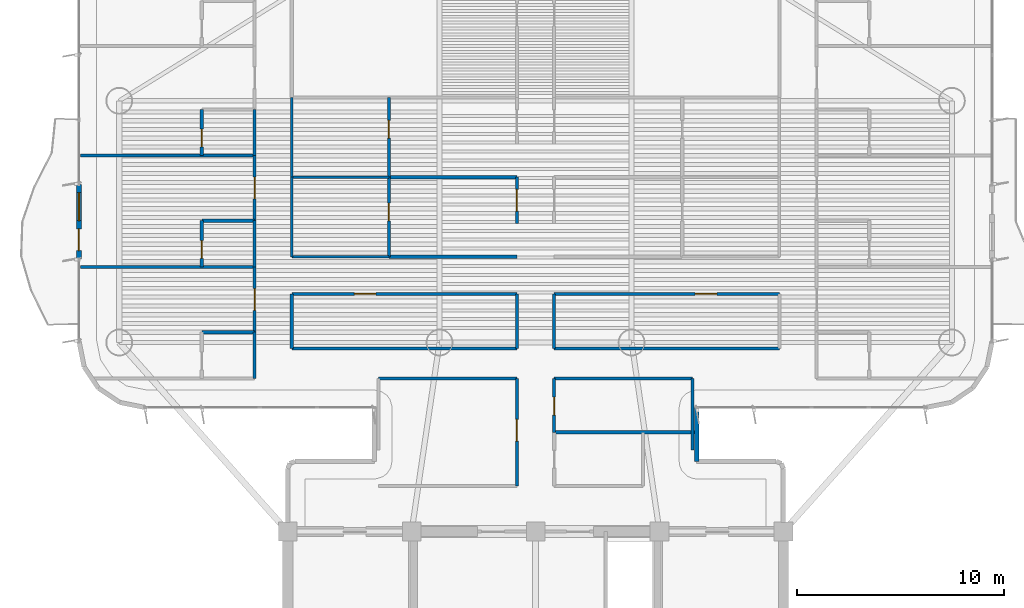
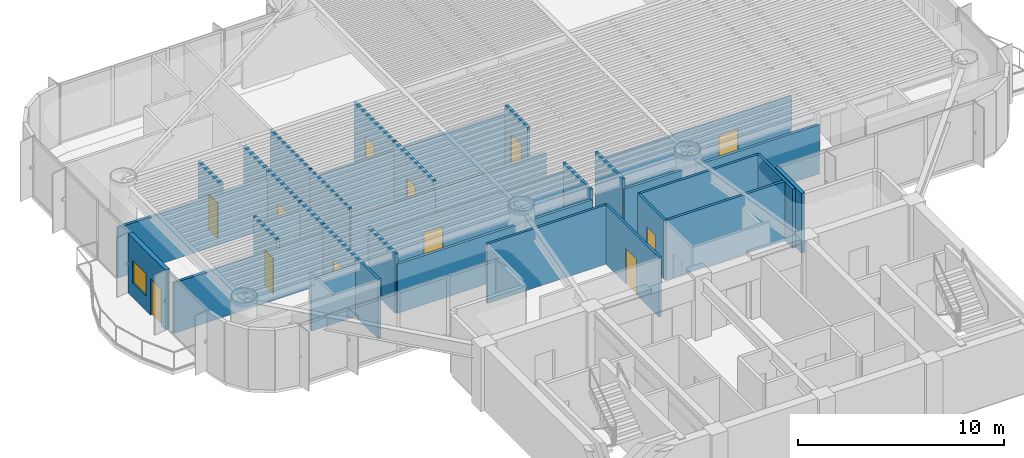
# One storey, part 10 of 17: 35 walls, 12 doors, 1 window, 13 openings.
"""IFC4 building model written with IfcOpenShell, lengths in metres."""

from ifc_helpers import new_model, si_unit, direction, frame, frame_2d, origin, origin_2d, place, context, subcontext, project, spatial, rectangle, extrude, source, transform, mapped, material, layer, layer_set, type_object, element, fill, save


model = new_model("IFC4")

# Units and contexts
model_context = context("Model", 3, precision=1e-05, world=origin(), true_north=direction((0.0, 1.0)))
body_context = subcontext(model_context, "Body", "Model", "MODEL_VIEW")
ifc_project = project(units=[si_unit("LENGTHUNIT", "METRE"), si_unit("AREAUNIT", "SQUARE_METRE"), si_unit("VOLUMEUNIT", "CUBIC_METRE"), si_unit("PLANEANGLEUNIT", "RADIAN"), si_unit("MASSUNIT", "GRAM", prefix="KILO")], contexts=[model_context])

# Site, building, storey
site_placement = place(None, origin())
site = spatial("IfcSite", under=ifc_project, at=site_placement, CompositionType="ELEMENT")
building_placement = place(site_placement, origin())
building = spatial("IfcBuilding", under=site, at=building_placement, Name="Brelvock Crest Care Tower", CompositionType="ELEMENT")
storey_placement = place(building_placement, frame((0.0, 0.0, 131.39990234375)))
storey = spatial("IfcBuildingStorey", under=building, at=storey_placement, Name="L33", CompositionType="ELEMENT", Elevation=131.39990234375)

# Wall, openings, door, window
ifc_material_1 = material(Name="Precast concrete N40 (40 MPa)", Category="concrete")
ifc_layer_1 = layer(ifc_material_1, 0.239990234375, Name="WL-EX1")
ifc_layer_set_1 = layer_set([ifc_layer_1], Name="Precast concrete N40 (40 MPa)")
wall_type_1 = type_object("IfcWallType", Name="WL-EX1", PredefinedType="SOLIDWALL", material=ifc_layer_set_1)
wall_1_placement = place(storey_placement, frame((13.89990234375, 31.199951171875, 0.0), z_axis=(0.0, 0.0, 1.0), x_axis=(0.0, 1.0, 0.0)))
wall_1 = element("IfcWall", 1, at=wall_1_placement, inside=storey, type_object=wall_type_1, Name="L33 Exterior Spandrel Wall WL-BAL-L33-W", PredefinedType="SOLIDWALL", context=body_context, shape_type="SweptSolid", body=[
    extrude(rectangle(XDim=3.60009765625, YDim=0.239990234375, at=frame_2d((1.800048828125, 0.0))), origin(), (0.0, 0.0, 1.0), 3.530029296875),
])
opening_1_placement = place(wall_1_placement, frame((0.39990234375, 0.0, 0.0)))
opening_1 = element("IfcOpeningElement", 2, at=opening_1_placement, cuts=wall_1, Name="Opening BD-1", PredefinedType="OPENING", context=body_context, shape_type="SweptSolid", body=[
    extrude(rectangle(XDim=1.050048828125, YDim=2.14990234375, at=origin_2d()), frame((0.52490234375, 0.1298828125, 1.074951171875), z_axis=(0.0, -1.0, 0.0), x_axis=(1.0, 0.0, 0.0)), (0.0, 0.0, 1.0), 0.260009765625),
])
opening_2_placement = place(wall_1_placement, frame((1.85009765625, 0.0, 0.85009765625)))
opening_2 = element("IfcOpeningElement", 3, at=opening_2_placement, cuts=wall_1, Name="Opening W-01", PredefinedType="OPENING", context=body_context, shape_type="SweptSolid", body=[
    extrude(rectangle(XDim=1.35009765625, YDim=1.35009765625, at=origin_2d()), frame((0.675048828125, 0.1298828125, 0.675048828125), z_axis=(0.0, -1.0, 0.0), x_axis=(1.0, 0.0, 0.0)), (0.0, 0.0, 1.0), 0.260009765625),
])
ifc_material_2 = material(Name="Dark Glass Double Glazed Low-E", Category="glass")
door_type_1 = type_object("IfcDoorType", Name="DR-BAL1", OperationType="NOTDEFINED", PredefinedType="DOOR", material=ifc_material_2)
shared_shape_1 = source(origin(), body_context, "Body", "SweptSolid", [
    extrude(rectangle(XDim=1.050048828125, YDim=2.14990234375, at=origin_2d()), frame((0.52490234375, 0.02490234375, 1.074951171875), z_axis=(0.0, -1.0, 0.0), x_axis=(1.0, 0.0, 0.0)), (0.0, 0.0, 1.0), 0.050048828125),
])
door_1_placement = place(opening_1_placement, origin())
door_1 = element("IfcDoor", 4, at=door_1_placement, inside=storey, type_object=door_type_1, Name="L33 W Wave Balcony Glazed Door", OperationType="SINGLE_SWING_LEFT", OverallHeight=2.14990234375, OverallWidth=1.050048828125, PredefinedType="DOOR", context=body_context, shape_type="MappedRepresentation", body=[
    mapped(shared_shape_1, transform((0.0, 0.0, 0.0), x_axis=(1.0, 0.0, 0.0), y_axis=(0.0, 1.0, 0.0), z_axis=(0.0, 0.0, 1.0), scale=1.0)),
])
fill(opening_1, door_1)
window_type = type_object("IfcWindowType", Name="WN-EX1", PartitioningType="SINGLE_PANEL", PredefinedType="WINDOW", material=ifc_material_2)
shared_shape_2 = source(origin(), body_context, "Body", "SweptSolid", [
    extrude(rectangle(XDim=1.35009765625, YDim=1.35009765625, at=origin_2d()), frame((0.675048828125, 0.030029296875, 0.675048828125), z_axis=(0.0, -1.0, 0.0), x_axis=(1.0, 0.0, 0.0)), (0.0, 0.0, 1.0), 0.06005859375),
])
window_placement = place(opening_2_placement, origin())
window = element("IfcWindow", 5, at=window_placement, inside=storey, type_object=window_type, Name="L33 W Suite Casement Window", OverallHeight=1.35009765625, OverallWidth=1.35009765625, PartitioningType="SINGLE_PANEL", PredefinedType="WINDOW", context=body_context, shape_type="MappedRepresentation", body=[
    mapped(shared_shape_2, transform((0.0, 0.0, 0.0), x_axis=(1.0, 0.0, 0.0), y_axis=(0.0, 1.0, 0.0), z_axis=(0.0, 0.0, 1.0), scale=1.0)),
])
fill(opening_2, window)

# Walls
ifc_layer_2 = layer(ifc_material_1, 0.215087890625, Name="WL-EX2")
ifc_layer_set_2 = layer_set([ifc_layer_2], Name="Precast concrete N40 (40 MPa)")
wall_type_2 = type_object("IfcWallType", Name="WL-EX2", PredefinedType="SOLIDWALL", material=ifc_layer_set_2)
wall_2_placement = place(storey_placement, frame((43.800048828125, 24.0, 0.0), z_axis=(0.0, 0.0, 1.0), x_axis=(0.0, -1.0, 0.0)))
element("IfcWall", 6, at=wall_2_placement, inside=storey, type_object=wall_type_2, Name="L33 Rounded Corner Wall 45", PredefinedType="SOLIDWALL", context=body_context, shape_type="SweptSolid", body=[
    extrude(rectangle(XDim=2.60009765625, YDim=0.215087890625, at=frame_2d((1.300048828125, 0.0))), origin(), (0.0, 0.0, 1.0), 3.530029296875),
])
ifc_material_3 = material(Name="Masonry Blockwork Acoustic Partition", Category="masonry")
ifc_layer_3 = layer(ifc_material_3, 0.14990234375, Name="WL-INT1")
ifc_layer_set_3 = layer_set([ifc_layer_3], Name="Masonry Blockwork Acoustic Partition")
wall_type_3 = type_object("IfcWallType", Name="WL-INT1", PredefinedType="PARTITIONING", material=ifc_layer_set_3)
for number, where, z_axis, x_axis, name in (
    (7, (28.39990234375, 25.39990234375, 0.0), (0.0, 0.0, 1.0), (1.0, 0.0, 0.0), "L33 Interior Wall WL-BX-L33-THW-N"),
    (8, (36.89990234375, 25.39990234375, 0.0), (0.0, 0.0, 1.0), (1.0, 0.0, 0.0), "L33 Interior Wall WL-BX-L33-THE2-N"),
):
    element("IfcWall", number, at=place(storey_placement, frame(where, z_axis=z_axis, x_axis=x_axis)), inside=storey, type_object=wall_type_3, Name=name, PredefinedType="PARTITIONING", context=body_context, shape_type="SweptSolid", body=[
        extrude(rectangle(XDim=6.7001953125, YDim=0.14990234375, at=frame_2d((3.35009765625, 0.0))), origin(), (0.0, 0.0, 1.0), 3.5),
    ])
for number, where, z_axis, x_axis, name in (
    (9, (24.199951171875, 26.85009765625, 0.0), (0.0, 0.0, 1.0), (1.0, 0.0, 0.0), "L33 Interior Wall WL-BX-L33-ISWM-S"),
    (10, (36.89990234375, 26.85009765625, 0.0), (0.0, 0.0, 1.0), (1.0, 0.0, 0.0), "L33 Interior Wall WL-BX-L33-ISEM-S"),
):
    element("IfcWall", number, at=place(storey_placement, frame(where, z_axis=z_axis, x_axis=x_axis)), inside=storey, type_object=wall_type_3, Name=name, PredefinedType="PARTITIONING", context=body_context, shape_type="SweptSolid", body=[
        extrude(rectangle(XDim=10.900146484375, YDim=0.14990234375, at=frame_2d((5.4501953125, 0.0))), origin(), (0.0, 0.0, 1.0), 2.903076171875),
    ])

# Wall, opening, door
wall_3_placement = place(storey_placement, frame((24.199951171875, 29.5, 0.0), z_axis=(0.0, 0.0, 1.0), x_axis=(1.0, 0.0, 0.0)))
wall_3 = element("IfcWall", 11, at=wall_3_placement, inside=storey, type_object=wall_type_3, Name="L33 Interior Wall WL-RM-L33-ISWM", PredefinedType="PARTITIONING", context=body_context, shape_type="SweptSolid", body=[
    extrude(rectangle(XDim=10.900146484375, YDim=0.14990234375, at=frame_2d((5.4501953125, 0.0))), origin(), (0.0, 0.0, 1.0), 2.982177734375),
])
opening_3_placement = place(wall_3_placement, frame((3.02490234375, 0.0, 0.0)))
opening_3 = element("IfcOpeningElement", 12, at=opening_3_placement, cuts=wall_3, Name="Opening CD-1", PredefinedType="OPENING", context=body_context, shape_type="SweptSolid", body=[
    extrude(rectangle(XDim=1.050048828125, YDim=2.10009765625, at=origin_2d()), frame((0.52490234375, 0.0849609375, 1.050048828125), z_axis=(0.0, -1.0, 0.0), x_axis=(1.0, 0.0, 0.0)), (0.0, 0.0, 1.0), 0.169921875),
])
ifc_material_4 = material(Name="Engineered Hardwood Timber", Category="wood")
door_type_2 = type_object("IfcDoorType", Name="DR-CARE1", OperationType="NOTDEFINED", PredefinedType="DOOR", material=ifc_material_4)
shared_shape_3 = source(origin(), body_context, "Body", "SweptSolid", [
    extrude(rectangle(XDim=1.050048828125, YDim=2.10009765625, at=origin_2d()), frame((0.52490234375, 0.02490234375, 1.050048828125), z_axis=(0.0, -1.0, 0.0), x_axis=(1.0, 0.0, 0.0)), (0.0, 0.0, 1.0), 0.050048828125),
])
door_2_placement = place(opening_3_placement, origin())
door_2 = element("IfcDoor", 13, at=door_2_placement, inside=storey, type_object=door_type_2, Name="L33 Sub-Acute Observation Ward West Door ISWM", OperationType="SINGLE_SWING_LEFT", OverallHeight=2.10009765625, OverallWidth=1.050048828125, PredefinedType="DOOR", context=body_context, shape_type="MappedRepresentation", body=[
    mapped(shared_shape_3, transform((0.0, 0.0, 0.0), x_axis=(1.0, 0.0, 0.0), y_axis=(0.0, 1.0, 0.0), z_axis=(0.0, 0.0, 1.0), scale=1.0)),
])
fill(opening_3, door_2)

wall_4_placement = place(storey_placement, frame((36.89990234375, 29.5, 0.0), z_axis=(0.0, 0.0, 1.0), x_axis=(1.0, 0.0, 0.0)))
wall_4 = element("IfcWall", 14, at=wall_4_placement, inside=storey, type_object=wall_type_3, Name="L33 Interior Wall WL-RM-L33-ISEM", PredefinedType="PARTITIONING", context=body_context, shape_type="SweptSolid", body=[
    extrude(rectangle(XDim=10.900146484375, YDim=0.14990234375, at=frame_2d((5.4501953125, 0.0))), origin(), (0.0, 0.0, 1.0), 2.982177734375),
])
opening_4_placement = place(wall_4_placement, frame((6.824951171875, 0.0, 0.0)))
opening_4 = element("IfcOpeningElement", 15, at=opening_4_placement, cuts=wall_4, Name="Opening CD-1", PredefinedType="OPENING", context=body_context, shape_type="SweptSolid", body=[
    extrude(rectangle(XDim=1.050048828125, YDim=2.10009765625, at=origin_2d()), frame((0.52490234375, 0.0849609375, 1.050048828125), z_axis=(0.0, -1.0, 0.0), x_axis=(1.0, 0.0, 0.0)), (0.0, 0.0, 1.0), 0.169921875),
])
door_3_placement = place(opening_4_placement, origin())
door_3 = element("IfcDoor", 16, at=door_3_placement, inside=storey, type_object=door_type_2, Name="L33 Sub-Acute Observation Ward East Door ISEM", OperationType="SINGLE_SWING_LEFT", OverallHeight=2.10009765625, OverallWidth=1.050048828125, PredefinedType="DOOR", context=body_context, shape_type="MappedRepresentation", body=[
    mapped(shared_shape_3, transform((0.0, 0.0, 0.0), x_axis=(1.0, 0.0, 0.0), y_axis=(0.0, 1.0, 0.0), z_axis=(0.0, 0.0, 1.0), scale=1.0)),
])
fill(opening_4, door_3)

# Walls
wall_5_placement = place(storey_placement, frame((13.97998046875, 30.800048828125, 0.0), z_axis=(0.0, 0.0, 1.0), x_axis=(1.0, 0.0, 0.0)))
element("IfcWall", 17, at=wall_5_placement, inside=storey, type_object=wall_type_3, Name="L33 Interior Wall WL-BX-L33-CS-SNW1-N", PredefinedType="PARTITIONING", context=body_context, shape_type="SweptSolid", body=[
    extrude(rectangle(XDim=8.419921875, YDim=0.14990234375, at=frame_2d((4.2099609375, 0.0))), origin(), (0.0, 0.0, 1.0), 2.982177734375),
])
for number, where, z_axis, x_axis, name in (
    (18, (28.89990234375, 31.300048828125, 0.0), (0.0, 0.0, 1.0), (1.0, 0.0, 0.0), "L33 Interior Wall WL-BX-L33-CS-INWS1A-S"),
    (19, (28.89990234375, 35.14990234375, 0.0), (0.0, 0.0, 1.0), (1.0, 0.0, 0.0), "L33 Interior Wall WL-BX-L33-CS-INWS1A-N"),
):
    element("IfcWall", number, at=place(storey_placement, frame(where, z_axis=z_axis, x_axis=x_axis)), inside=storey, type_object=wall_type_3, Name=name, PredefinedType="PARTITIONING", context=body_context, shape_type="SweptSolid", body=[
        extrude(rectangle(XDim=6.2001953125, YDim=0.14990234375, at=frame_2d((3.10009765625, 0.0))), origin(), (0.0, 0.0, 1.0), 2.982177734375),
    ])
wall_6_placement = place(storey_placement, frame((13.97998046875, 36.199951171875, 0.0), z_axis=(0.0, 0.0, 1.0), x_axis=(1.0, 0.0, 0.0)))
element("IfcWall", 20, at=wall_6_placement, inside=storey, type_object=wall_type_3, Name="L33 Interior Wall WL-BX-L33-CS-SNW2-N", PredefinedType="PARTITIONING", context=body_context, shape_type="SweptSolid", body=[
    extrude(rectangle(XDim=8.419921875, YDim=0.14990234375, at=frame_2d((4.2099609375, 0.0))), origin(), (0.0, 0.0, 1.0), 2.982177734375),
])

# Wall, opening, door
wall_7_placement = place(storey_placement, frame((22.39990234375, 27.64990234375, 0.0), z_axis=(0.0, 0.0, 1.0), x_axis=(0.0, 1.0, 0.0)))
wall_7 = element("IfcWall", 21, at=wall_7_placement, inside=storey, type_object=wall_type_3, Name="L33 Interior Wall WL-CENT-L33-SNW1", PredefinedType="PARTITIONING", context=body_context, shape_type="SweptSolid", body=[
    extrude(rectangle(XDim=3.150146484375, YDim=0.14990234375, at=frame_2d((1.5751953125, 0.0))), origin(), (0.0, 0.0, 1.0), 3.5),
])
opening_5_placement = place(wall_7_placement, frame((1.054931640625, 0.0, 0.0)))
opening_5 = element("IfcOpeningElement", 22, at=opening_5_placement, cuts=wall_7, Name="Opening CD-1", PredefinedType="OPENING", context=body_context, shape_type="SweptSolid", body=[
    extrude(rectangle(XDim=1.050048828125, YDim=2.10009765625, at=origin_2d()), frame((0.52490234375, 0.0849609375, 1.050048828125), z_axis=(0.0, -1.0, 0.0), x_axis=(1.0, 0.0, 0.0)), (0.0, 0.0, 1.0), 0.169921875),
])
door_4_placement = place(opening_5_placement, origin())
door_4 = element("IfcDoor", 23, at=door_4_placement, inside=storey, type_object=door_type_2, Name="L33 Care Suite Door SNW1", OperationType="SINGLE_SWING_LEFT", OverallHeight=2.10009765625, OverallWidth=1.050048828125, PredefinedType="DOOR", context=body_context, shape_type="MappedRepresentation", body=[
    mapped(shared_shape_3, transform((0.0, 0.0, 0.0), x_axis=(1.0, 0.0, 0.0), y_axis=(0.0, 1.0, 0.0), z_axis=(0.0, 0.0, 1.0), scale=1.0)),
])
fill(opening_5, door_4)

wall_8_placement = place(storey_placement, frame((22.39990234375, 33.050048828125, 0.0), z_axis=(0.0, 0.0, 1.0), x_axis=(0.0, 1.0, 0.0)))
wall_8 = element("IfcWall", 24, at=wall_8_placement, inside=storey, type_object=wall_type_3, Name="L33 Interior Wall WL-CENT-L33-SNW2", PredefinedType="PARTITIONING", context=body_context, shape_type="SweptSolid", body=[
    extrude(rectangle(XDim=3.14990234375, YDim=0.14990234375, at=frame_2d((1.574951171875, 0.0))), origin(), (0.0, 0.0, 1.0), 3.5),
])
opening_6_placement = place(wall_8_placement, frame((1.054931640625, 0.0, 0.0)))
opening_6 = element("IfcOpeningElement", 25, at=opening_6_placement, cuts=wall_8, Name="Opening CD-1", PredefinedType="OPENING", context=body_context, shape_type="SweptSolid", body=[
    extrude(rectangle(XDim=1.050048828125, YDim=2.10009765625, at=origin_2d()), frame((0.52490234375, 0.0849609375, 1.050048828125), z_axis=(0.0, -1.0, 0.0), x_axis=(1.0, 0.0, 0.0)), (0.0, 0.0, 1.0), 0.169921875),
])
door_5_placement = place(opening_6_placement, origin())
door_5 = element("IfcDoor", 26, at=door_5_placement, inside=storey, type_object=door_type_2, Name="L33 Care Suite Door SNW2", OperationType="SINGLE_SWING_LEFT", OverallHeight=2.10009765625, OverallWidth=1.050048828125, PredefinedType="DOOR", context=body_context, shape_type="MappedRepresentation", body=[
    mapped(shared_shape_3, transform((0.0, 0.0, 0.0), x_axis=(1.0, 0.0, 0.0), y_axis=(0.0, 1.0, 0.0), z_axis=(0.0, 0.0, 1.0), scale=1.0)),
])
fill(opening_6, door_5)

# Wall
wall_9_placement = place(storey_placement, frame((24.199951171875, 26.85009765625, 0.0), z_axis=(0.0, 0.0, 1.0), x_axis=(0.0, 1.0, 0.0)))
element("IfcWall", 27, at=wall_9_placement, inside=storey, type_object=wall_type_3, Name="L33 Interior Wall WL-BX-L33-ISWM-W", PredefinedType="PARTITIONING", context=body_context, shape_type="SweptSolid", body=[
    extrude(rectangle(XDim=2.64990234375, YDim=0.14990234375, at=frame_2d((1.324951171875, 0.0))), origin(), (0.0, 0.0, 1.0), 3.5),
])

# Wall, opening, door
wall_10_placement = place(storey_placement, frame((28.89990234375, 31.300048828125, 0.0), z_axis=(0.0, 0.0, 1.0), x_axis=(0.0, 1.0, 0.0)))
wall_10 = element("IfcWall", 28, at=wall_10_placement, inside=storey, type_object=wall_type_3, Name="L33 Interior Wall WL-RM-L33-INWS1AS", PredefinedType="PARTITIONING", context=body_context, shape_type="SweptSolid", body=[
    extrude(rectangle(XDim=3.849853515625, YDim=0.14990234375, at=frame_2d((1.9248046875, 0.0))), origin(), (0.0, 0.0, 1.0), 3.5),
])
opening_7_placement = place(wall_10_placement, frame((1.739990234375, 0.0, 0.0)))
opening_7 = element("IfcOpeningElement", 29, at=opening_7_placement, cuts=wall_10, Name="Opening ID-1", PredefinedType="OPENING", context=body_context, shape_type="SweptSolid", body=[
    extrude(rectangle(XDim=0.860107421875, YDim=2.10009765625, at=origin_2d()), frame((0.43017578125, 0.0849609375, 1.050048828125), z_axis=(0.0, -1.0, 0.0), x_axis=(1.0, 0.0, 0.0)), (0.0, 0.0, 1.0), 0.169921875),
])
door_type_3 = type_object("IfcDoorType", Name="DR-INT1", OperationType="NOTDEFINED", PredefinedType="DOOR", material=ifc_material_4)
shared_shape_4 = source(origin(), body_context, "Body", "SweptSolid", [
    extrude(rectangle(XDim=0.860107421875, YDim=2.10009765625, at=origin_2d()), frame((0.43017578125, 0.02490234375, 1.050048828125), z_axis=(0.0, -1.0, 0.0), x_axis=(1.0, 0.0, 0.0)), (0.0, 0.0, 1.0), 0.050048828125),
])
door_6_placement = place(opening_7_placement, origin())
door_6 = element("IfcDoor", 30, at=door_6_placement, inside=storey, type_object=door_type_3, Name="L33 Skilled Nursing Mobility Store Door INWS1AS", OperationType="SINGLE_SWING_LEFT", OverallHeight=2.10009765625, OverallWidth=0.860107421875, PredefinedType="DOOR", context=body_context, shape_type="MappedRepresentation", body=[
    mapped(shared_shape_4, transform((0.0, 0.0, 0.0), x_axis=(1.0, 0.0, 0.0), y_axis=(0.0, 1.0, 0.0), z_axis=(0.0, 0.0, 1.0), scale=1.0)),
])
fill(opening_7, door_6)

wall_11_placement = place(storey_placement, frame((28.89990234375, 35.14990234375, 0.0), z_axis=(0.0, 0.0, 1.0), x_axis=(0.0, 1.0, 0.0)))
wall_11 = element("IfcWall", 31, at=wall_11_placement, inside=storey, type_object=wall_type_3, Name="L33 Interior Wall WL-RM-L33-INWS1BS", PredefinedType="PARTITIONING", context=body_context, shape_type="SweptSolid", body=[
    extrude(rectangle(XDim=3.85009765625, YDim=0.14990234375, at=frame_2d((1.925048828125, 0.0))), origin(), (0.0, 0.0, 1.0), 3.5),
])
opening_8_placement = place(wall_11_placement, frame((1.889892578125, 0.0, 0.0)))
opening_8 = element("IfcOpeningElement", 32, at=opening_8_placement, cuts=wall_11, Name="Opening ID-1", PredefinedType="OPENING", context=body_context, shape_type="SweptSolid", body=[
    extrude(rectangle(XDim=0.860107421875, YDim=2.10009765625, at=origin_2d()), frame((0.43017578125, 0.0849609375, 1.050048828125), z_axis=(0.0, -1.0, 0.0), x_axis=(1.0, 0.0, 0.0)), (0.0, 0.0, 1.0), 0.169921875),
])
door_7_placement = place(opening_8_placement, origin())
door_7 = element("IfcDoor", 33, at=door_7_placement, inside=storey, type_object=door_type_3, Name="L33 Skilled Nursing Mobility Store Door INWS1BS", OperationType="SINGLE_SWING_LEFT", OverallHeight=2.10009765625, OverallWidth=0.860107421875, PredefinedType="DOOR", context=body_context, shape_type="MappedRepresentation", body=[
    mapped(shared_shape_4, transform((0.0, 0.0, 0.0), x_axis=(1.0, 0.0, 0.0), y_axis=(0.0, 1.0, 0.0), z_axis=(0.0, 0.0, 1.0), scale=1.0)),
])
fill(opening_8, door_7)

wall_12_placement = place(storey_placement, frame((35.10009765625, 20.199951171875, 0.0), z_axis=(0.0, 0.0, 1.0), x_axis=(0.0, 1.0, 0.0)))
wall_12 = element("IfcWall", 34, at=wall_12_placement, inside=storey, type_object=wall_type_3, Name="L33 Interior Wall WL-RM-L33-THW", PredefinedType="PARTITIONING", context=body_context, shape_type="SweptSolid", body=[
    extrude(rectangle(XDim=5.199951171875, YDim=0.14990234375, at=frame_2d((2.60009765625, 0.0))), origin(), (0.0, 0.0, 1.0), 3.5),
])
opening_9_placement = place(wall_12_placement, frame((2.175048828125, 0.0, 0.0)))
opening_9 = element("IfcOpeningElement", 35, at=opening_9_placement, cuts=wall_12, Name="Opening CLD-1", PredefinedType="OPENING", context=body_context, shape_type="SweptSolid", body=[
    extrude(rectangle(XDim=1.050048828125, YDim=2.10009765625, at=origin_2d()), frame((0.52490234375, 0.0849609375, 1.050048828125), z_axis=(0.0, -1.0, 0.0), x_axis=(1.0, 0.0, 0.0)), (0.0, 0.0, 1.0), 0.169921875),
])
door_type_4 = type_object("IfcDoorType", Name="DR-CLN1", OperationType="NOTDEFINED", PredefinedType="DOOR", material=ifc_material_4)
shared_shape_5 = source(origin(), body_context, "Body", "SweptSolid", [
    extrude(rectangle(XDim=1.050048828125, YDim=2.10009765625, at=origin_2d()), frame((0.52490234375, 0.02490234375, 1.050048828125), z_axis=(0.0, -1.0, 0.0), x_axis=(1.0, 0.0, 0.0)), (0.0, 0.0, 1.0), 0.050048828125),
])
door_8_placement = place(opening_9_placement, origin())
door_8 = element("IfcDoor", 36, at=door_8_placement, inside=storey, type_object=door_type_4, Name="L33 Allied Health Consultation Room Door THW", OperationType="SINGLE_SWING_LEFT", OverallHeight=2.10009765625, OverallWidth=1.050048828125, PredefinedType="DOOR", context=body_context, shape_type="MappedRepresentation", body=[
    mapped(shared_shape_5, transform((0.0, 0.0, 0.0), x_axis=(1.0, 0.0, 0.0), y_axis=(0.0, 1.0, 0.0), z_axis=(0.0, 0.0, 1.0), scale=1.0)),
])
fill(opening_9, door_8)

# Wall
wall_13_placement = place(storey_placement, frame((35.10009765625, 26.85009765625, 0.0), z_axis=(0.0, 0.0, 1.0), x_axis=(0.0, 1.0, 0.0)))
element("IfcWall", 37, at=wall_13_placement, inside=storey, type_object=wall_type_3, Name="L33 Interior Wall WL-BX-L33-ISWM-E", PredefinedType="PARTITIONING", context=body_context, shape_type="SweptSolid", body=[
    extrude(rectangle(XDim=2.64990234375, YDim=0.14990234375, at=frame_2d((1.324951171875, 0.0))), origin(), (0.0, 0.0, 1.0), 3.5),
])

# Wall, opening, door
wall_14_placement = place(storey_placement, frame((35.10009765625, 32.9169921875, 0.0), z_axis=(0.0, 0.0, 1.0), x_axis=(0.0, 1.0, 0.0)))
wall_14 = element("IfcWall", 38, at=wall_14_placement, inside=storey, type_object=wall_type_3, Name="L33 Interior Wall WL-CENT-L33-INWS1A", PredefinedType="PARTITIONING", context=body_context, shape_type="SweptSolid", body=[
    extrude(rectangle(XDim=2.23291015625, YDim=0.14990234375, at=frame_2d((1.116455078125, 0.0))), origin(), (0.0, 0.0, 1.0), 3.5),
])
opening_10_placement = place(wall_14_placement, frame((0.595947265625, 0.0, 0.0)))
opening_10 = element("IfcOpeningElement", 39, at=opening_10_placement, cuts=wall_14, Name="Opening CD-1", PredefinedType="OPENING", context=body_context, shape_type="SweptSolid", body=[
    extrude(rectangle(XDim=1.050048828125, YDim=2.10009765625, at=origin_2d()), frame((0.52490234375, 0.0849609375, 1.050048828125), z_axis=(0.0, -1.0, 0.0), x_axis=(1.0, 0.0, 0.0)), (0.0, 0.0, 1.0), 0.169921875),
])
door_9_placement = place(opening_10_placement, origin())
door_9 = element("IfcDoor", 40, at=door_9_placement, inside=storey, type_object=door_type_2, Name="L33 Care Suite Door INWS1A", OperationType="SINGLE_SWING_LEFT", OverallHeight=2.10009765625, OverallWidth=1.050048828125, PredefinedType="DOOR", context=body_context, shape_type="MappedRepresentation", body=[
    mapped(shared_shape_3, transform((0.0, 0.0, 0.0), x_axis=(1.0, 0.0, 0.0), y_axis=(0.0, 1.0, 0.0), z_axis=(0.0, 0.0, 1.0), scale=1.0)),
])
fill(opening_10, door_9)

wall_15_placement = place(storey_placement, frame((36.89990234375, 22.800048828125, 0.0), z_axis=(0.0, 0.0, 1.0), x_axis=(0.0, 1.0, 0.0)))
wall_15 = element("IfcWall", 41, at=wall_15_placement, inside=storey, type_object=wall_type_3, Name="L33 Interior Wall WL-RM-L33-THE2", PredefinedType="PARTITIONING", context=body_context, shape_type="SweptSolid", body=[
    extrude(rectangle(XDim=2.599853515625, YDim=0.14990234375, at=frame_2d((1.2998046875, 0.0))), origin(), (0.0, 0.0, 1.0), 3.5),
])
opening_11_placement = place(wall_15_placement, frame((0.840087890625, 0.0, 0.0)))
opening_11 = element("IfcOpeningElement", 42, at=opening_11_placement, cuts=wall_15, Name="Opening ID-1", PredefinedType="OPENING", context=body_context, shape_type="SweptSolid", body=[
    extrude(rectangle(XDim=0.860107421875, YDim=2.10009765625, at=origin_2d()), frame((0.43017578125, 0.0849609375, 1.050048828125), z_axis=(0.0, -1.0, 0.0), x_axis=(1.0, 0.0, 0.0)), (0.0, 0.0, 1.0), 0.169921875),
])
door_10_placement = place(opening_11_placement, origin())
door_10 = element("IfcDoor", 43, at=door_10_placement, inside=storey, type_object=door_type_3, Name="L33 Care Coordinator Office Door THE2", OperationType="SINGLE_SWING_LEFT", OverallHeight=2.10009765625, OverallWidth=0.860107421875, PredefinedType="DOOR", context=body_context, shape_type="MappedRepresentation", body=[
    mapped(shared_shape_4, transform((0.0, 0.0, 0.0), x_axis=(1.0, 0.0, 0.0), y_axis=(0.0, 1.0, 0.0), z_axis=(0.0, 0.0, 1.0), scale=1.0)),
])
fill(opening_11, door_10)

# Walls
wall_16_placement = place(storey_placement, frame((36.89990234375, 26.85009765625, 0.0), z_axis=(0.0, 0.0, 1.0), x_axis=(0.0, 1.0, 0.0)))
element("IfcWall", 44, at=wall_16_placement, inside=storey, type_object=wall_type_3, Name="L33 Interior Wall WL-BX-L33-ISEM-W", PredefinedType="PARTITIONING", context=body_context, shape_type="SweptSolid", body=[
    extrude(rectangle(XDim=2.64990234375, YDim=0.14990234375, at=frame_2d((1.324951171875, 0.0))), origin(), (0.0, 0.0, 1.0), 3.5),
])
wall_17_placement = place(storey_placement, frame((43.60009765625, 21.95751953125, 0.0), z_axis=(0.0, 0.0, 1.0), x_axis=(0.0, 1.0, 0.0)))
element("IfcWall", 45, at=wall_17_placement, inside=storey, type_object=wall_type_3, Name="L33 Interior Wall WL-BX-L33-THE2-E", PredefinedType="PARTITIONING", context=body_context, shape_type="SweptSolid", body=[
    extrude(rectangle(XDim=3.4423828125, YDim=0.14990234375, at=frame_2d((1.72119140625, 0.0))), origin(), (0.0, 0.0, 1.0), 3.5),
])
ifc_material_5 = material(Name="Gypsum Plasterboard Partition", Category="gypsum")
ifc_layer_4 = layer(ifc_material_5, 0.1201171875, Name="WL-INT2")
ifc_layer_set_4 = layer_set([ifc_layer_4], Name="Gypsum Plasterboard Partition")
wall_type_4 = type_object("IfcWallType", Name="WL-INT2", PredefinedType="PARTITIONING", material=ifc_layer_set_4)
for number, where, z_axis, x_axis, name in (
    (46, (24.199951171875, 31.300048828125, 0.0), (0.0, 0.0, 1.0), (1.0, 0.0, 0.0), "L33 Interior Wall WL-BX-L33-INWS1AS-S"),
    (47, (24.199951171875, 35.14990234375, 0.0), (0.0, 0.0, 1.0), (1.0, 0.0, 0.0), "L33 Interior Wall WL-BX-L33-INWS1AS-N"),
):
    element("IfcWall", number, at=place(storey_placement, frame(where, z_axis=z_axis, x_axis=x_axis)), inside=storey, type_object=wall_type_4, Name=name, PredefinedType="PARTITIONING", context=body_context, shape_type="SweptSolid", body=[
        extrude(rectangle(XDim=4.699951171875, YDim=0.1201171875, at=frame_2d((2.35009765625, 0.0))), origin(), (0.0, 0.0, 1.0), 2.982177734375),
    ])
wall_18_placement = place(storey_placement, frame((24.199951171875, 31.300048828125, 0.0), z_axis=(0.0, 0.0, 1.0), x_axis=(0.0, 1.0, 0.0)))
element("IfcWall", 48, at=wall_18_placement, inside=storey, type_object=wall_type_4, Name="L33 Interior Wall WL-BX-L33-INWS1AS-W", PredefinedType="PARTITIONING", context=body_context, shape_type="SweptSolid", body=[
    extrude(rectangle(XDim=3.849853515625, YDim=0.1201171875, at=frame_2d((1.9248046875, 0.0))), origin(), (0.0, 0.0, 1.0), 3.5),
])
wall_19_placement = place(storey_placement, frame((24.199951171875, 35.14990234375, 0.0), z_axis=(0.0, 0.0, 1.0), x_axis=(0.0, 1.0, 0.0)))
element("IfcWall", 49, at=wall_19_placement, inside=storey, type_object=wall_type_4, Name="L33 Interior Wall WL-BX-L33-INWS1BS-W", PredefinedType="PARTITIONING", context=body_context, shape_type="SweptSolid", body=[
    extrude(rectangle(XDim=3.85009765625, YDim=0.1201171875, at=frame_2d((1.925048828125, 0.0))), origin(), (0.0, 0.0, 1.0), 3.5),
])
ifc_layer_5 = layer(ifc_material_5, 0.159912109375, Name="WL-PLM1")
ifc_layer_set_5 = layer_set([ifc_layer_5], Name="Gypsum Plasterboard Partition")
wall_type_5 = type_object("IfcWallType", Name="WL-PLM1", PredefinedType="PLUMBINGWALL", material=ifc_layer_set_5)
wall_20_placement = place(storey_placement, frame((36.89990234375, 22.800048828125, 0.0), z_axis=(0.0, 0.0, 1.0), x_axis=(1.0, 0.0, 0.0)))
element("IfcWall", 50, at=wall_20_placement, inside=storey, type_object=wall_type_5, Name="L33 Interior Wall WL-BX-L33-THE2-S", PredefinedType="PLUMBINGWALL", context=body_context, shape_type="SweptSolid", body=[
    extrude(rectangle(XDim=6.820068359375, YDim=0.159912109375, at=frame_2d((3.41015625, 0.0))), origin(), (0.0, 0.0, 1.0), 3.5),
])
for number, where, z_axis, x_axis, name in (
    (51, (19.85009765625, 27.64990234375, 0.0), (0.0, 0.0, 1.0), (1.0, 0.0, 0.0), "L33 Interior Wall WL-CENS2-L33-SNW1"),
    (52, (19.85009765625, 33.050048828125, 0.0), (0.0, 0.0, 1.0), (1.0, 0.0, 0.0), "L33 Interior Wall WL-CENS2-L33-SNW2"),
):
    element("IfcWall", number, at=place(storey_placement, frame(where, z_axis=z_axis, x_axis=x_axis)), inside=storey, type_object=wall_type_5, Name=name, PredefinedType="PLUMBINGWALL", context=body_context, shape_type="SweptSolid", body=[
        extrude(rectangle(XDim=2.5498046875, YDim=0.159912109375, at=frame_2d((1.27490234375, 0.0))), origin(), (0.0, 0.0, 1.0), 2.982177734375),
    ])

# Wall, opening, door
wall_21_placement = place(storey_placement, frame((19.85009765625, 30.800048828125, 0.0), z_axis=(0.0, 0.0, 1.0), x_axis=(0.0, 1.0, 0.0)))
wall_21 = element("IfcWall", 53, at=wall_21_placement, inside=storey, type_object=wall_type_5, Name="L33 Interior Wall WL-CENS1-L33-SNW2", PredefinedType="PLUMBINGWALL", context=body_context, shape_type="SweptSolid", body=[
    extrude(rectangle(XDim=2.25, YDim=0.159912109375, at=frame_2d((1.125, 0.0))), origin(), (0.0, 0.0, 1.0), 3.5),
])
opening_12_placement = place(wall_21_placement, frame((0.419921875, 0.0, 0.0)))
opening_12 = element("IfcOpeningElement", 54, at=opening_12_placement, cuts=wall_21, Name="Opening WD-1", PredefinedType="OPENING", context=body_context, shape_type="SweptSolid", body=[
    extrude(rectangle(XDim=0.860107421875, YDim=2.10009765625, at=origin_2d()), frame((0.43017578125, 0.08984375, 1.050048828125), z_axis=(0.0, -1.0, 0.0), x_axis=(1.0, 0.0, 0.0)), (0.0, 0.0, 1.0), 0.179931640625),
])
door_type_5 = type_object("IfcDoorType", Name="DR-WC1", OperationType="NOTDEFINED", PredefinedType="DOOR", material=ifc_material_4)
shared_shape_6 = source(origin(), body_context, "Body", "SweptSolid", [
    extrude(rectangle(XDim=0.860107421875, YDim=2.10009765625, at=origin_2d()), frame((0.43017578125, 0.02490234375, 1.050048828125), z_axis=(0.0, -1.0, 0.0), x_axis=(1.0, 0.0, 0.0)), (0.0, 0.0, 1.0), 0.050048828125),
])
door_11_placement = place(opening_12_placement, origin())
door_11 = element("IfcDoor", 55, at=door_11_placement, inside=storey, type_object=door_type_5, Name="L33 Care En-Suite Door SNW2", OperationType="SINGLE_SWING_LEFT", OverallHeight=2.10009765625, OverallWidth=0.860107421875, PredefinedType="DOOR", context=body_context, shape_type="MappedRepresentation", body=[
    mapped(shared_shape_6, transform((0.0, 0.0, 0.0), x_axis=(1.0, 0.0, 0.0), y_axis=(0.0, 1.0, 0.0), z_axis=(0.0, 0.0, 1.0), scale=1.0)),
])
fill(opening_12, door_11)

wall_22_placement = place(storey_placement, frame((19.85009765625, 36.199951171875, 0.0), z_axis=(0.0, 0.0, 1.0), x_axis=(0.0, 1.0, 0.0)))
wall_22 = element("IfcWall", 56, at=wall_22_placement, inside=storey, type_object=wall_type_5, Name="L33 Interior Wall WL-CENS1-L33-SNW3", PredefinedType="PLUMBINGWALL", context=body_context, shape_type="SweptSolid", body=[
    extrude(rectangle(XDim=2.22607421875, YDim=0.159912109375, at=frame_2d((1.113037109375, 0.0))), origin(), (0.0, 0.0, 1.0), 3.5),
])
opening_13_placement = place(wall_22_placement, frame((0.419921875, 0.0, 0.0)))
opening_13 = element("IfcOpeningElement", 57, at=opening_13_placement, cuts=wall_22, Name="Opening WD-1", PredefinedType="OPENING", context=body_context, shape_type="SweptSolid", body=[
    extrude(rectangle(XDim=0.860107421875, YDim=2.10009765625, at=origin_2d()), frame((0.43017578125, 0.08984375, 1.050048828125), z_axis=(0.0, -1.0, 0.0), x_axis=(1.0, 0.0, 0.0)), (0.0, 0.0, 1.0), 0.179931640625),
])
door_12_placement = place(opening_13_placement, origin())
door_12 = element("IfcDoor", 58, at=door_12_placement, inside=storey, type_object=door_type_5, Name="L33 Care En-Suite Door SNW3", OperationType="SINGLE_SWING_LEFT", OverallHeight=2.10009765625, OverallWidth=0.860107421875, PredefinedType="DOOR", context=body_context, shape_type="MappedRepresentation", body=[
    mapped(shared_shape_6, transform((0.0, 0.0, 0.0), x_axis=(1.0, 0.0, 0.0), y_axis=(0.0, 1.0, 0.0), z_axis=(0.0, 0.0, 1.0), scale=1.0)),
])
fill(opening_13, door_12)

# Walls
for number, where, z_axis, x_axis, name in (
    (59, (22.39990234375, 25.39990234375, 0.0), (0.0, 0.0, 1.0), (0.0, 1.0, 0.0), "L33 Interior Wall WL-CENS0-L33-SNW1"),
    (60, (22.39990234375, 30.800048828125, 0.0), (0.0, 0.0, 1.0), (0.0, 1.0, 0.0), "L33 Interior Wall WL-CENS0-L33-SNW2"),
):
    element("IfcWall", number, at=place(storey_placement, frame(where, z_axis=z_axis, x_axis=x_axis)), inside=storey, type_object=wall_type_5, Name=name, PredefinedType="PLUMBINGWALL", context=body_context, shape_type="SweptSolid", body=[
        extrude(rectangle(XDim=2.25, YDim=0.159912109375, at=frame_2d((1.125, 0.0))), origin(), (0.0, 0.0, 1.0), 3.5),
    ])
wall_23_placement = place(storey_placement, frame((22.39990234375, 36.199951171875, 0.0), z_axis=(0.0, 0.0, 1.0), x_axis=(0.0, 1.0, 0.0)))
element("IfcWall", 61, at=wall_23_placement, inside=storey, type_object=wall_type_5, Name="L33 Interior Wall WL-CENS0-L33-SNW3", PredefinedType="PLUMBINGWALL", context=body_context, shape_type="SweptSolid", body=[
    extrude(rectangle(XDim=2.22607421875, YDim=0.159912109375, at=frame_2d((1.113037109375, 0.0))), origin(), (0.0, 0.0, 1.0), 3.5),
])

save(model, "model.ifc")
